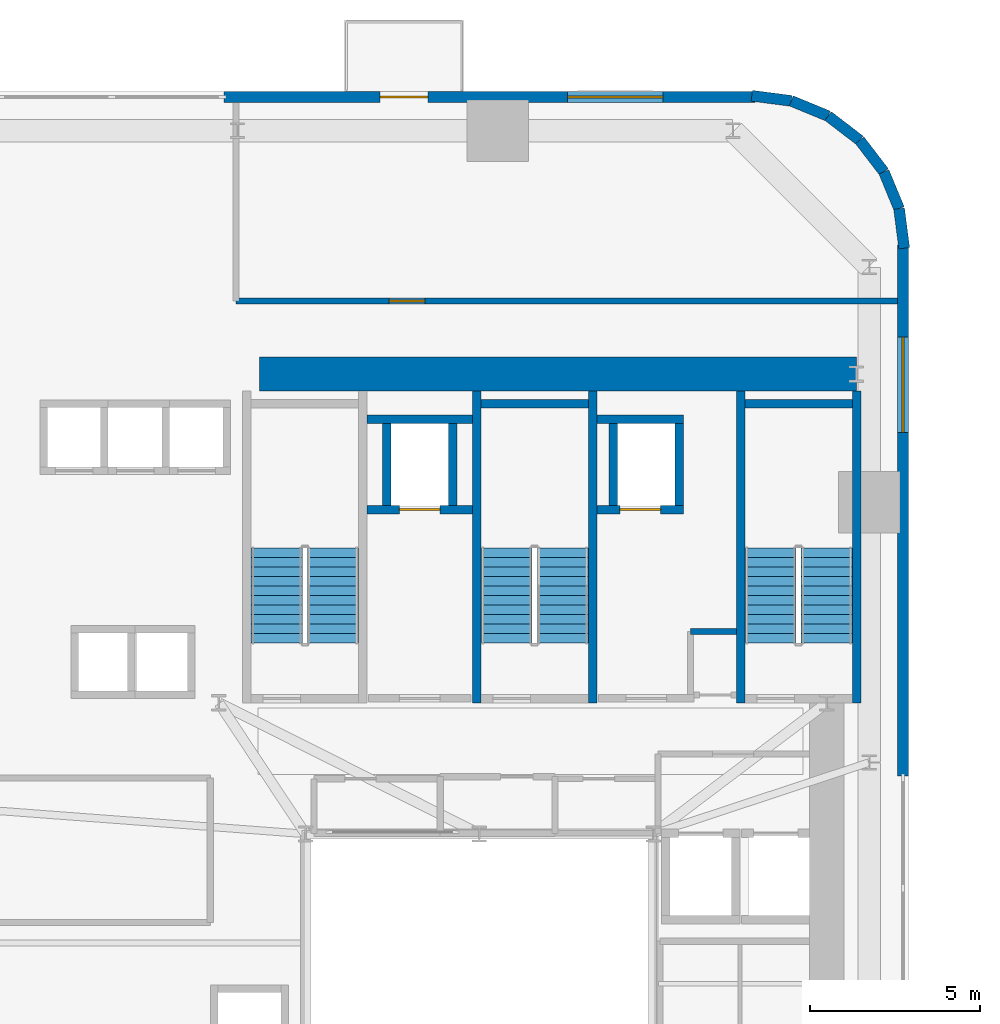
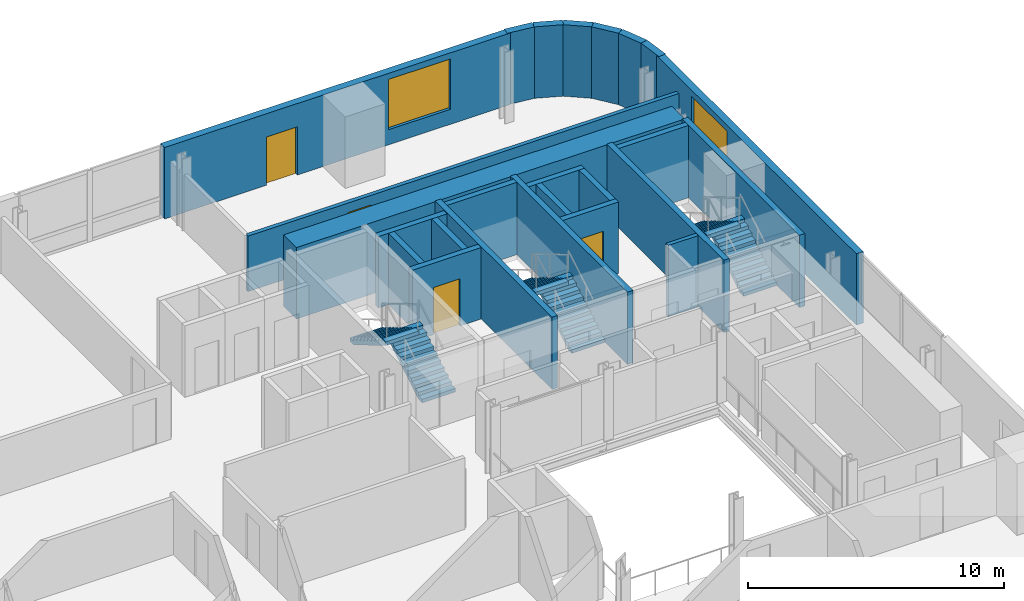
# One storey, part 9 of 13: 25 walls, 6 stair flights, 4 doors, 2 windows, 6 openings, 3 elements without a shape of their own.
"""IFC4 building model written with IfcOpenShell, lengths in metres."""

from ifc_helpers import new_model, si_unit, direction, frame, frame_2d, origin, place, context, subcontext, project, spatial, polyline, rectangle, outline, extrude, source, transform, mapped, material, layer, layer_set, type_object, element, fill, aggregate, save


model = new_model("IFC4")

# Units and contexts
model_context = context("Model", 3, precision=1e-05, world=origin(), true_north=direction((0.0, 1.0)))
body_context = subcontext(model_context, "Body", "Model", "MODEL_VIEW")
ifc_project = project(units=[si_unit("LENGTHUNIT", "METRE"), si_unit("AREAUNIT", "SQUARE_METRE"), si_unit("VOLUMEUNIT", "CUBIC_METRE"), si_unit("PLANEANGLEUNIT", "RADIAN"), si_unit("MASSUNIT", "GRAM", prefix="KILO")], contexts=[model_context])

# Site, building, storey
site_placement = place(None, origin())
site = spatial("IfcSite", under=ifc_project, at=site_placement, CompositionType="ELEMENT")
building_placement = place(site_placement, origin())
building = spatial("IfcBuilding", under=site, at=building_placement, Name="Vardaveli Station Tower", CompositionType="ELEMENT")
storey_placement = place(building_placement, frame((0.0, 0.0, 34.89990234375)))
storey = spatial("IfcBuildingStorey", under=building, at=storey_placement, Name="L08", CompositionType="ELEMENT", Elevation=34.89990234375)

# Wall
ifc_material_1 = material(Name="Concrete C60/75", Category="concrete")
ifc_layer_1 = layer(ifc_material_1, 1.0, Name="Concrete C60/75")
ifc_layer_set_1 = layer_set([ifc_layer_1], Name="Concrete C60/75")
wall_type_1 = type_object("IfcWallType", Name="WAL-CORE-1000", PredefinedType="SHEAR", material=ifc_layer_set_1)
shared_shape_1 = source(origin(), body_context, "Body", "SweptSolid", [
    extrude(rectangle(XDim=17.52001953125, YDim=1.0, at=frame_2d((8.760009765625, 0.0))), origin(), (0.0, 0.0, 1.0), 3.41015625),
])
wall_1_placement = place(storey_placement, frame((29.85009765625, 40.300048828125, 0.0), z_axis=(0.0, 0.0, 1.0), x_axis=(1.0, 0.0, 0.0)))
element("IfcWall", 1, at=wall_1_placement, inside=storey, type_object=wall_type_1, Name="SW-L08-NORTH", PredefinedType="SHEAR", context=body_context, shape_type="MappedRepresentation", body=[
    mapped(shared_shape_1, transform((0.0, 0.0, 0.0), scale=1.0)),
])

# Wall, openings, door, window
ifc_material_2 = material(Name="Precast concrete C45/55", Category="concrete")
ifc_layer_2 = layer(ifc_material_2, 0.320068359375, Name="Precast concrete C45/55")
ifc_layer_set_2 = layer_set([ifc_layer_2], Name="Precast concrete C45/55")
wall_type_2 = type_object("IfcWallType", Name="WAL-EXT-STONE-320", PredefinedType="SOLIDWALL", material=ifc_layer_set_2)
shared_shape_2 = source(origin(), body_context, "Body", "SweptSolid", [
    extrude(rectangle(XDim=15.599853515625, YDim=0.320068359375, at=frame_2d((7.7998046875, 0.0))), origin(), (0.0, 0.0, 1.0), 3.41015625),
])
wall_2_placement = place(storey_placement, frame((44.39990234375, 48.43994140625, 0.0), z_axis=(0.0, 0.0, 1.0), x_axis=(-1.0, 0.0, 0.0)))
wall_2 = element("IfcWall", 2, at=wall_2_placement, inside=storey, type_object=wall_type_2, Name="EW-L08-N1", PredefinedType="SOLIDWALL", context=body_context, shape_type="MappedRepresentation", body=[
    mapped(shared_shape_2, transform((0.0, 0.0, 0.0), scale=1.0)),
])
shared_shape_3 = source(origin(), body_context, "Body", "SweptSolid", [
    extrude(rectangle(XDim=1.39990234375, YDim=2.300048828125, at=frame_2d((0.699951171875, 1.14990234375))), frame((0.0, 0.169921875, 0.0), z_axis=(0.0, -1.0, 0.0), x_axis=(1.0, 0.0, 0.0)), (0.0, 0.0, 1.0), 0.340087890625),
])
opening_1_placement = place(wall_2_placement, frame((9.6103515625, 0.0, 0.0)))
opening_1 = element("IfcOpeningElement", 3, at=opening_1_placement, cuts=wall_2, Name="Opening D-09", PredefinedType="OPENING", context=body_context, shape_type="MappedRepresentation", body=[
    mapped(shared_shape_3, transform((0.0, 0.0, 0.0), scale=1.0)),
])
shared_shape_4 = source(origin(), body_context, "Body", "SweptSolid", [
    extrude(rectangle(XDim=2.800048828125, YDim=2.39990234375, at=frame_2d((1.39990234375, 1.199951171875))), frame((0.0, 0.169921875, 0.0), z_axis=(0.0, -1.0, 0.0), x_axis=(1.0, 0.0, 0.0)), (0.0, 0.0, 1.0), 0.340087890625),
])
opening_2_placement = place(wall_2_placement, frame((2.705078125, 0.0, 0.719970703125)))
opening_2 = element("IfcOpeningElement", 4, at=opening_2_placement, cuts=wall_2, Name="Opening W-04", PredefinedType="OPENING", context=body_context, shape_type="MappedRepresentation", body=[
    mapped(shared_shape_4, transform((0.0, 0.0, 0.0), scale=1.0)),
])
ifc_material_3 = material(Name="Thermally broken aluminium glass", Category="aluminium")
door_type_1 = type_object("IfcDoorType", Name="DR-LOG-1400x2300", OperationType="DOUBLE_DOOR_SLIDING", PredefinedType="DOOR", material=ifc_material_3)
shared_shape_5 = source(origin(), body_context, "Body", "SweptSolid", [
    extrude(rectangle(XDim=1.39990234375, YDim=2.300048828125, at=frame_2d((0.699951171875, 1.14990234375))), frame((0.0, 0.02490234375, 0.0), z_axis=(0.0, -1.0, 0.0), x_axis=(1.0, 0.0, 0.0)), (0.0, 0.0, 1.0), 0.050048828125),
])
door_1_placement = place(opening_1_placement, frame((1.39990234375, 0.0, 0.0), z_axis=(0.0, 0.0, 1.0), x_axis=(-1.0, 0.0, 0.0)))
door_1 = element("IfcDoor", 5, at=door_1_placement, inside=storey, type_object=door_type_1, Name="DLG-L08-N", OperationType="DOUBLE_DOOR_SLIDING", OverallHeight=2.300048828125, OverallWidth=1.39990234375, PredefinedType="DOOR", context=body_context, shape_type="MappedRepresentation", body=[
    mapped(shared_shape_5, transform((0.0, 0.0, 0.0), scale=1.0)),
])
fill(opening_1, door_1)
ifc_material_4 = material(Name="Low-E solar-control glass", Category="glass")
window_type = type_object("IfcWindowType", Name="WIN-SUITE-2800x2400", PartitioningType="SINGLE_PANEL", PredefinedType="WINDOW", material=ifc_material_4)
shared_shape_6 = source(origin(), body_context, "Body", "SweptSolid", [
    extrude(rectangle(XDim=2.800048828125, YDim=2.39990234375, at=frame_2d((1.39990234375, 1.199951171875))), frame((0.0, 0.030029296875, 0.0), z_axis=(0.0, -1.0, 0.0), x_axis=(1.0, 0.0, 0.0)), (0.0, 0.0, 1.0), 0.06005859375),
])
window_1_placement = place(opening_2_placement, origin())
window_1 = element("IfcWindow", 6, at=window_1_placement, inside=storey, type_object=window_type, Name="WN-L08-N1", OverallHeight=2.39990234375, OverallWidth=2.800048828125, PartitioningType="SINGLE_PANEL", PredefinedType="WINDOW", context=body_context, shape_type="MappedRepresentation", body=[
    mapped(shared_shape_6, transform((0.0, 0.0, 0.0), scale=1.0)),
])
fill(opening_2, window_1)

# Wall, opening, window
shared_shape_7 = source(origin(), body_context, "Body", "SweptSolid", [
    extrude(rectangle(XDim=15.60009765625, YDim=0.320068359375, at=frame_2d((7.800048828125, 0.0))), origin(), (0.0, 0.0, 1.0), 3.41015625),
])
wall_3_placement = place(storey_placement, frame((48.739990234375, 28.5, 0.0), z_axis=(0.0, 0.0, 1.0), x_axis=(0.0, 1.0, 0.0)))
wall_3 = element("IfcWall", 7, at=wall_3_placement, inside=storey, type_object=wall_type_2, Name="EW-L08-E2", PredefinedType="SOLIDWALL", context=body_context, shape_type="MappedRepresentation", body=[
    mapped(shared_shape_7, transform((0.0, 0.0, 0.0), scale=1.0)),
])
opening_3_placement = place(wall_3_placement, frame((10.094970703125, 0.0, 0.719970703125)))
opening_3 = element("IfcOpeningElement", 8, at=opening_3_placement, cuts=wall_3, Name="Opening W-04", PredefinedType="OPENING", context=body_context, shape_type="MappedRepresentation", body=[
    mapped(shared_shape_4, transform((0.0, 0.0, 0.0), scale=1.0)),
])
window_2_placement = place(opening_3_placement, origin())
window_2 = element("IfcWindow", 9, at=window_2_placement, inside=storey, type_object=window_type, Name="WN-L08-E2", OverallHeight=2.39990234375, OverallWidth=2.800048828125, PartitioningType="SINGLE_PANEL", PredefinedType="WINDOW", context=body_context, shape_type="MappedRepresentation", body=[
    mapped(shared_shape_6, transform((0.0, 0.0, 0.0), scale=1.0)),
])
fill(opening_3, window_2)

# Walls
shared_shape_8 = source(origin(), body_context, "Body", "SweptSolid", [
    extrude(rectangle(XDim=1.1689453125, YDim=0.320068359375, at=frame_2d((0.58447265625, 0.0))), origin(), (0.0, 0.0, 1.0), 3.41015625),
])
wall_4_placement = place(storey_placement, frame((48.179931640625, 46.2412109375, 0.0), z_axis=(0.0, 0.0, 1.0), x_axis=(-0.608387696831, 0.793639975269, 0.0)))
element("IfcWall", 10, at=wall_4_placement, inside=storey, type_object=wall_type_2, Name="EW-L08-CR3-3", PredefinedType="SOLIDWALL", context=body_context, shape_type="MappedRepresentation", body=[
    mapped(shared_shape_8, transform((0.0, 0.0, 0.0), scale=1.0)),
])
shared_shape_9 = source(origin(), body_context, "Body", "SweptSolid", [
    extrude(rectangle(XDim=1.168701171875, YDim=0.320068359375, at=frame_2d((0.58447265625, 0.0))), origin(), (0.0, 0.0, 1.0), 3.41015625),
])
wall_5_placement = place(storey_placement, frame((47.46875, 47.1689453125, 0.0), z_axis=(0.0, 0.0, 1.0), x_axis=(-0.793663520347, 0.608356981114, 0.0)))
element("IfcWall", 11, at=wall_5_placement, inside=storey, type_object=wall_type_2, Name="EW-L08-CR3-4", PredefinedType="SOLIDWALL", context=body_context, shape_type="MappedRepresentation", body=[
    mapped(shared_shape_9, transform((0.0, 0.0, 0.0), scale=1.0)),
])
shared_shape_10 = source(origin(), body_context, "Body", "SweptSolid", [
    extrude(rectangle(XDim=1.17041015625, YDim=0.320068359375, at=frame_2d((0.585205078125, 0.0))), origin(), (0.0, 0.0, 1.0), 3.41015625),
])
for number, where, z_axis, x_axis, name in (
    (12, (48.775634765625, 43.99951171875, 0.0), (0.0, 0.0, 1.0), (-0.128295670475, 0.991735963317, 0.0), "EW-L08-CR3-1"),
    (13, (45.460205078125, 48.325439453125, 0.0), (0.0, 0.0, 1.0), (-0.991735963317, 0.128295670475, 0.0), "EW-L08-CR3-6"),
):
    element("IfcWall", number, at=place(storey_placement, frame(where, z_axis=z_axis, x_axis=x_axis)), inside=storey, type_object=wall_type_2, Name=name, PredefinedType="SOLIDWALL", context=body_context, shape_type="MappedRepresentation", body=[
        mapped(shared_shape_10, transform((0.0, 0.0, 0.0), scale=1.0)),
    ])
shared_shape_11 = source(origin(), body_context, "Body", "SweptSolid", [
    extrude(rectangle(XDim=1.169189453125, YDim=0.320068359375, at=frame_2d((0.58447265625, 0.0))), origin(), (0.0, 0.0, 1.0), 3.41015625),
])
for number, where, z_axis, x_axis, name in (
    (14, (48.62548828125, 45.16015625, 0.0), (0.0, 0.0, 1.0), (-0.381054331552, 0.924552646638, 0.0), "EW-L08-CR3-2"),
    (15, (46.541259765625, 47.8798828125, 0.0), (0.0, 0.0, 1.0), (-0.924552646638, 0.381054331552, 0.0), "EW-L08-CR3-5"),
):
    element("IfcWall", number, at=place(storey_placement, frame(where, z_axis=z_axis, x_axis=x_axis)), inside=storey, type_object=wall_type_2, Name=name, PredefinedType="SOLIDWALL", context=body_context, shape_type="MappedRepresentation", body=[
        mapped(shared_shape_11, transform((0.0, 0.0, 0.0), scale=1.0)),
    ])
ifc_material_5 = material(Name="Concrete C40/50", Category="concrete")
ifc_layer_3 = layer(ifc_material_5, 0.25, Name="Concrete C40/50")
ifc_layer_set_3 = layer_set([ifc_layer_3], Name="Concrete C40/50")
wall_type_3 = type_object("IfcWallType", Name="WAL-SHAFT-250", PredefinedType="SOLIDWALL", material=ifc_layer_set_3)
shared_shape_12 = source(origin(), body_context, "Body", "SweptSolid", [
    extrude(rectangle(XDim=9.150146484375, YDim=0.25, at=frame_2d((4.5751953125, 0.0))), origin(), (0.0, 0.0, 1.0), 3.4501953125),
])
for number, where, z_axis, x_axis, name in (
    (16, (36.22509765625, 30.64990234375, 0.0), (0.0, 0.0, 1.0), (0.0, 1.0, 0.0), "W-L08-ST-2W"),
    (17, (39.625, 30.64990234375, 0.0), (0.0, 0.0, 1.0), (0.0, 1.0, 0.0), "W-L08-ST-2E"),
    (18, (43.97509765625, 30.64990234375, 0.0), (0.0, 0.0, 1.0), (0.0, 1.0, 0.0), "W-L08-ST-3W"),
    (19, (47.375, 30.64990234375, 0.0), (0.0, 0.0, 1.0), (0.0, 1.0, 0.0), "W-L08-ST-3E"),
):
    element("IfcWall", number, at=place(storey_placement, frame(where, z_axis=z_axis, x_axis=x_axis)), inside=storey, type_object=wall_type_3, Name=name, PredefinedType="SOLIDWALL", context=body_context, shape_type="MappedRepresentation", body=[
        mapped(shared_shape_12, transform((0.0, 0.0, 0.0), scale=1.0)),
    ])
shared_shape_13 = source(origin(), body_context, "Body", "SweptSolid", [
    extrude(rectangle(XDim=3.14990234375, YDim=0.25, at=frame_2d((1.574951171875, 0.0))), origin(), (0.0, 0.0, 1.0), 3.4501953125),
])
for number, where, z_axis, x_axis, name in (
    (20, (36.35009765625, 39.425048828125, 0.0), (0.0, 0.0, 1.0), (1.0, 0.0, 0.0), "W-L08-ST-2N"),
    (21, (44.10009765625, 39.425048828125, 0.0), (0.0, 0.0, 1.0), (1.0, 0.0, 0.0), "W-L08-ST-3N"),
):
    element("IfcWall", number, at=place(storey_placement, frame(where, z_axis=z_axis, x_axis=x_axis)), inside=storey, type_object=wall_type_3, Name=name, PredefinedType="SOLIDWALL", context=body_context, shape_type="MappedRepresentation", body=[
        mapped(shared_shape_13, transform((0.0, 0.0, 0.0), scale=1.0)),
    ])

# Wall, opening, door
shared_shape_14 = source(origin(), body_context, "Body", "SweptSolid", [
    extrude(rectangle(XDim=3.10009765625, YDim=0.25, at=frame_2d((1.550048828125, 0.0))), origin(), (0.0, 0.0, 1.0), 3.41015625),
])
wall_6_placement = place(storey_placement, frame((33.0, 36.324951171875, 0.0), z_axis=(0.0, 0.0, 1.0), x_axis=(1.0, 0.0, 0.0)))
wall_6 = element("IfcWall", 22, at=wall_6_placement, inside=storey, type_object=wall_type_3, Name="SHW-FFL-01-L08-S", PredefinedType="SOLIDWALL", context=body_context, shape_type="MappedRepresentation", body=[
    mapped(shared_shape_14, transform((0.0, 0.0, 0.0), scale=1.0)),
])
shared_shape_15 = source(origin(), body_context, "Body", "SweptSolid", [
    extrude(rectangle(XDim=1.199951171875, YDim=2.25, at=frame_2d((0.60009765625, 1.125))), frame((0.0, 0.135009765625, 0.0), z_axis=(0.0, -1.0, 0.0), x_axis=(1.0, 0.0, 0.0)), (0.0, 0.0, 1.0), 0.27001953125),
])
opening_4_placement = place(wall_6_placement, frame((0.949951171875, 0.0, 0.0)))
opening_4 = element("IfcOpeningElement", 23, at=opening_4_placement, cuts=wall_6, Name="Opening LD-02", PredefinedType="OPENING", context=body_context, shape_type="MappedRepresentation", body=[
    mapped(shared_shape_15, transform((0.0, 0.0, 0.0), scale=1.0)),
])
ifc_material_6 = material(Name="Brushed stainless steel", Category="steel")
door_type_2 = type_object("IfcDoorType", Name="DR-LD-1200x2250", OperationType="DOUBLE_DOOR_SLIDING", PredefinedType="DOOR", material=ifc_material_6)
shared_shape_16 = source(origin(), body_context, "Body", "SweptSolid", [
    extrude(rectangle(XDim=1.199951171875, YDim=2.25, at=frame_2d((0.60009765625, 1.125))), frame((0.0, 0.02490234375, 0.0), z_axis=(0.0, -1.0, 0.0), x_axis=(1.0, 0.0, 0.0)), (0.0, 0.0, 1.0), 0.050048828125),
])
door_2_placement = place(opening_4_placement, origin())
door_2 = element("IfcDoor", 24, at=door_2_placement, inside=storey, type_object=door_type_2, Name="LD-FFL-01-L08", OperationType="DOUBLE_DOOR_SLIDING", OverallHeight=2.25, OverallWidth=1.199951171875, PredefinedType="DOOR", context=body_context, shape_type="MappedRepresentation", body=[
    mapped(shared_shape_16, transform((0.0, 0.0, 0.0), scale=1.0)),
])
fill(opening_4, door_2)

# Walls
wall_7_placement = place(storey_placement, frame((33.0, 38.97509765625, 0.0), z_axis=(0.0, 0.0, 1.0), x_axis=(1.0, 0.0, 0.0)))
element("IfcWall", 25, at=wall_7_placement, inside=storey, type_object=wall_type_3, Name="SHW-FFL-01-L08-N", PredefinedType="SOLIDWALL", context=body_context, shape_type="MappedRepresentation", body=[
    mapped(shared_shape_14, transform((0.0, 0.0, 0.0), scale=1.0)),
])
shared_shape_17 = source(origin(), body_context, "Body", "SweptSolid", [
    extrude(rectangle(XDim=2.400146484375, YDim=0.25, at=frame_2d((1.2001953125, 0.0))), origin(), (0.0, 0.0, 1.0), 3.41015625),
])
for number, where, z_axis, x_axis, name in (
    (26, (33.574951171875, 36.449951171875, 0.0), (0.0, 0.0, 1.0), (0.0, 1.0, 0.0), "SHW-FFL-01-L08-W"),
    (27, (35.52490234375, 36.449951171875, 0.0), (0.0, 0.0, 1.0), (0.0, 1.0, 0.0), "SHW-FFL-01-L08-E"),
    (28, (40.22509765625, 36.449951171875, 0.0), (0.0, 0.0, 1.0), (0.0, 1.0, 0.0), "SHW-FFL-02-L08-W"),
    (29, (42.175048828125, 36.449951171875, 0.0), (0.0, 0.0, 1.0), (0.0, 1.0, 0.0), "SHW-FFL-02-L08-E"),
):
    element("IfcWall", number, at=place(storey_placement, frame(where, z_axis=z_axis, x_axis=x_axis)), inside=storey, type_object=wall_type_3, Name=name, PredefinedType="SOLIDWALL", context=body_context, shape_type="MappedRepresentation", body=[
        mapped(shared_shape_17, transform((0.0, 0.0, 0.0), scale=1.0)),
    ])

# Wall, opening, door
shared_shape_18 = source(origin(), body_context, "Body", "SweptSolid", [
    extrude(rectangle(XDim=2.550048828125, YDim=0.25, at=frame_2d((1.27490234375, 0.0))), origin(), (0.0, 0.0, 1.0), 3.41015625),
])
wall_8_placement = place(storey_placement, frame((39.75, 36.324951171875, 0.0), z_axis=(0.0, 0.0, 1.0), x_axis=(1.0, 0.0, 0.0)))
wall_8 = element("IfcWall", 30, at=wall_8_placement, inside=storey, type_object=wall_type_3, Name="SHW-FFL-02-L08-S", PredefinedType="SOLIDWALL", context=body_context, shape_type="MappedRepresentation", body=[
    mapped(shared_shape_18, transform((0.0, 0.0, 0.0), scale=1.0)),
])
opening_5_placement = place(wall_8_placement, frame((0.675048828125, 0.0, 0.0)))
opening_5 = element("IfcOpeningElement", 31, at=opening_5_placement, cuts=wall_8, Name="Opening LD-02", PredefinedType="OPENING", context=body_context, shape_type="MappedRepresentation", body=[
    mapped(shared_shape_15, transform((0.0, 0.0, 0.0), scale=1.0)),
])
door_3_placement = place(opening_5_placement, origin())
door_3 = element("IfcDoor", 32, at=door_3_placement, inside=storey, type_object=door_type_2, Name="LD-FFL-02-L08", OperationType="DOUBLE_DOOR_SLIDING", OverallHeight=2.25, OverallWidth=1.199951171875, PredefinedType="DOOR", context=body_context, shape_type="MappedRepresentation", body=[
    mapped(shared_shape_16, transform((0.0, 0.0, 0.0), scale=1.0)),
])
fill(opening_5, door_3)

# Wall
wall_9_placement = place(storey_placement, frame((39.75, 38.97509765625, 0.0), z_axis=(0.0, 0.0, 1.0), x_axis=(1.0, 0.0, 0.0)))
element("IfcWall", 33, at=wall_9_placement, inside=storey, type_object=wall_type_3, Name="SHW-FFL-02-L08-N", PredefinedType="SOLIDWALL", context=body_context, shape_type="MappedRepresentation", body=[
    mapped(shared_shape_18, transform((0.0, 0.0, 0.0), scale=1.0)),
])

# Wall, opening, door
ifc_material_7 = material(Name="Fire-rated gypsum stud partition")
ifc_layer_4 = layer(ifc_material_7, 0.179931640625, Name="Fire-rated gypsum stud partition")
ifc_layer_set_4 = layer_set([ifc_layer_4], Name="Fire-rated gypsum stud partition")
wall_type_4 = type_object("IfcWallType", Name="WAL-CORR-180", PredefinedType="PARTITIONING", material=ifc_layer_set_4)
shared_shape_19 = source(origin(), body_context, "Body", "SweptSolid", [
    extrude(rectangle(XDim=19.427978515625, YDim=0.179931640625, at=frame_2d((9.7138671875, 0.0))), origin(), (0.0, 0.0, 1.0), 2.652099609375),
])
wall_10_placement = place(storey_placement, frame((29.14990234375, 42.449951171875, 0.0), z_axis=(0.0, 0.0, 1.0), x_axis=(1.0, 0.0, 0.0)))
wall_10 = element("IfcWall", 34, at=wall_10_placement, inside=storey, type_object=wall_type_4, Name="W-L08-NPS", PredefinedType="PARTITIONING", context=body_context, shape_type="MappedRepresentation", body=[
    mapped(shared_shape_19, transform((0.0, 0.0, 0.0), scale=1.0)),
])
shared_shape_20 = source(origin(), body_context, "Body", "SweptSolid", [
    extrude(rectangle(XDim=1.050048828125, YDim=2.199951171875, at=frame_2d((0.52490234375, 1.10009765625))), frame((0.0, 0.10009765625, 0.0), z_axis=(0.0, -1.0, 0.0), x_axis=(1.0, 0.0, 0.0)), (0.0, 0.0, 1.0), 0.199951171875),
])
opening_6_placement = place(wall_10_placement, frame((4.5, 0.0, 0.0)))
opening_6 = element("IfcOpeningElement", 35, at=opening_6_placement, cuts=wall_10, Name="Opening D-05", PredefinedType="OPENING", context=body_context, shape_type="MappedRepresentation", body=[
    mapped(shared_shape_20, transform((0.0, 0.0, 0.0), scale=1.0)),
])
ifc_material_8 = material(Name="Walnut veneer acoustic fire door")
door_type_3 = type_object("IfcDoorType", Name="DR-SUITE-1050x2200", OperationType="NOTDEFINED", PredefinedType="DOOR", material=ifc_material_8)
shared_shape_21 = source(origin(), body_context, "Body", "SweptSolid", [
    extrude(rectangle(XDim=1.050048828125, YDim=2.199951171875, at=frame_2d((0.52490234375, 1.10009765625))), frame((0.0, 0.02490234375, 0.0), z_axis=(0.0, -1.0, 0.0), x_axis=(1.0, 0.0, 0.0)), (0.0, 0.0, 1.0), 0.050048828125),
])
door_4_placement = place(opening_6_placement, origin())
door_4 = element("IfcDoor", 36, at=door_4_placement, inside=storey, type_object=door_type_3, Name="D-L08-NP1", OperationType="SINGLE_SWING_LEFT", OverallHeight=2.199951171875, OverallWidth=1.050048828125, PredefinedType="DOOR", context=body_context, shape_type="MappedRepresentation", body=[
    mapped(shared_shape_21, transform((0.0, 0.0, 0.0), scale=1.0)),
])
fill(opening_6, door_4)

# Wall
shared_shape_22 = source(origin(), body_context, "Body", "SweptSolid", [
    extrude(rectangle(XDim=1.347900390625, YDim=0.179931640625, at=frame_2d((0.673828125, 0.0))), origin(), (0.0, 0.0, 1.0), 3.41015625),
])
wall_11_placement = place(storey_placement, frame((42.5, 32.75, 0.0), z_axis=(0.0, 0.0, 1.0), x_axis=(1.0, 0.0, 0.0)))
element("IfcWall", 37, at=wall_11_placement, inside=storey, type_object=wall_type_4, Name="W-L08-CBS2A-N", PredefinedType="PARTITIONING", context=body_context, shape_type="MappedRepresentation", body=[
    mapped(shared_shape_22, transform((0.0, 0.0, 0.0), scale=1.0)),
])

# Stair, stair flights
stair_type = type_object("IfcStairType", Name="STR-CORE-1500", PredefinedType="HALF_TURN_STAIR", material=ifc_material_5)
stair_1_placement = place(storey_placement, origin())
stair_1 = element("IfcStair", 38, at=stair_1_placement, inside=storey, type_object=stair_type, Name="L08 ST-1", PredefinedType="HALF_TURN_STAIR")
stair_flight_type = type_object("IfcStairFlightType", Name="SFL-CORE-1500", PredefinedType="STRAIGHT", material=ifc_material_5)
shared_shape_23 = source(origin(), body_context, "Body", "SweptSolid", [
    extrude(outline(polyline([(0.0, 0.0), (0.0, 0.166015625), (0.280029296875, 0.166015625), (0.280029296875, 0.331787109375), (0.56005859375, 0.331787109375), (0.56005859375, 0.497802734375), (0.840087890625, 0.497802734375), (0.840087890625, 0.66357421875), (1.1201171875, 0.66357421875), (1.1201171875, 0.82958984375), (1.39990234375, 0.82958984375), (1.39990234375, 0.995361328125), (1.679931640625, 0.995361328125), (1.679931640625, 1.161376953125), (1.9599609375, 1.161376953125), (1.9599609375, 1.327392578125), (2.239990234375, 1.327392578125), (2.239990234375, 1.4931640625), (2.52001953125, 1.4931640625), (2.52001953125, 1.6591796875), (2.800048828125, 1.6591796875), (2.800048828125, 1.824951171875), (2.800048828125, 1.48486328125), (0.2939453125, 0.0), (0.0, 0.0)])), frame((0.0, 0.75, 0.0), z_axis=(0.0, -1.0, 0.0), x_axis=(1.0, 0.0, 0.0)), (0.0, 0.0, 1.0), 1.5),
])
stair_flight_1_placement = place(storey_placement, frame((32.0, 32.39990234375, 0.0), z_axis=(0.0, 0.0, 1.0), x_axis=(0.0, 1.0, 0.0)))
stair_flight_1 = element("IfcStairFlight", 39, at=stair_flight_1_placement, type_object=stair_flight_type, Name="ST-1 flight 1", NumberOfRisers=11, NumberOfTreads=10, PredefinedType="STRAIGHT", RiserHeight=0.165909091, TreadLength=0.28, context=body_context, shape_type="MappedRepresentation", body=[
    mapped(shared_shape_23, transform((0.0, 0.0, 0.0), scale=1.0)),
])
stair_flight_2_placement = place(storey_placement, frame((30.35009765625, 35.199951171875, 1.8251953125), z_axis=(0.0, 0.0, 1.0), x_axis=(0.0, -1.0, 0.0)))
stair_flight_2 = element("IfcStairFlight", 40, at=stair_flight_2_placement, type_object=stair_flight_type, Name="ST-1 flight 2", NumberOfRisers=11, NumberOfTreads=10, PredefinedType="STRAIGHT", RiserHeight=0.165909091, TreadLength=0.28, context=body_context, shape_type="MappedRepresentation", body=[
    mapped(shared_shape_23, transform((0.0, 0.0, 0.0), scale=1.0)),
])
aggregate(stair_1, [stair_flight_1, stair_flight_2])

stair_2_placement = place(storey_placement, origin())
stair_2 = element("IfcStair", 41, at=stair_2_placement, inside=storey, type_object=stair_type, Name="L08 ST-2", PredefinedType="HALF_TURN_STAIR")
stair_flight_3_placement = place(storey_placement, frame((38.75, 32.39990234375, 0.0), z_axis=(0.0, 0.0, 1.0), x_axis=(0.0, 1.0, 0.0)))
stair_flight_3 = element("IfcStairFlight", 42, at=stair_flight_3_placement, type_object=stair_flight_type, Name="ST-2 flight 1", NumberOfRisers=11, NumberOfTreads=10, PredefinedType="STRAIGHT", RiserHeight=0.165909091, TreadLength=0.28, context=body_context, shape_type="MappedRepresentation", body=[
    mapped(shared_shape_23, transform((0.0, 0.0, 0.0), scale=1.0)),
])
stair_flight_4_placement = place(storey_placement, frame((37.10009765625, 35.199951171875, 1.8251953125), z_axis=(0.0, 0.0, 1.0), x_axis=(0.0, -1.0, 0.0)))
stair_flight_4 = element("IfcStairFlight", 43, at=stair_flight_4_placement, type_object=stair_flight_type, Name="ST-2 flight 2", NumberOfRisers=11, NumberOfTreads=10, PredefinedType="STRAIGHT", RiserHeight=0.165909091, TreadLength=0.28, context=body_context, shape_type="MappedRepresentation", body=[
    mapped(shared_shape_23, transform((0.0, 0.0, 0.0), scale=1.0)),
])
aggregate(stair_2, [stair_flight_3, stair_flight_4])

stair_3_placement = place(storey_placement, origin())
stair_3 = element("IfcStair", 44, at=stair_3_placement, inside=storey, type_object=stair_type, Name="L08 ST-3", PredefinedType="HALF_TURN_STAIR")
stair_flight_5_placement = place(storey_placement, frame((46.5, 32.39990234375, 0.0), z_axis=(0.0, 0.0, 1.0), x_axis=(0.0, 1.0, 0.0)))
stair_flight_5 = element("IfcStairFlight", 45, at=stair_flight_5_placement, type_object=stair_flight_type, Name="ST-3 flight 1", NumberOfRisers=11, NumberOfTreads=10, PredefinedType="STRAIGHT", RiserHeight=0.165909091, TreadLength=0.28, context=body_context, shape_type="MappedRepresentation", body=[
    mapped(shared_shape_23, transform((0.0, 0.0, 0.0), scale=1.0)),
])
stair_flight_6_placement = place(storey_placement, frame((44.85009765625, 35.199951171875, 1.8251953125), z_axis=(0.0, 0.0, 1.0), x_axis=(0.0, -1.0, 0.0)))
stair_flight_6 = element("IfcStairFlight", 46, at=stair_flight_6_placement, type_object=stair_flight_type, Name="ST-3 flight 2", NumberOfRisers=11, NumberOfTreads=10, PredefinedType="STRAIGHT", RiserHeight=0.165909091, TreadLength=0.28, context=body_context, shape_type="MappedRepresentation", body=[
    mapped(shared_shape_23, transform((0.0, 0.0, 0.0), scale=1.0)),
])
aggregate(stair_3, [stair_flight_5, stair_flight_6])

save(model, "model.ifc")
